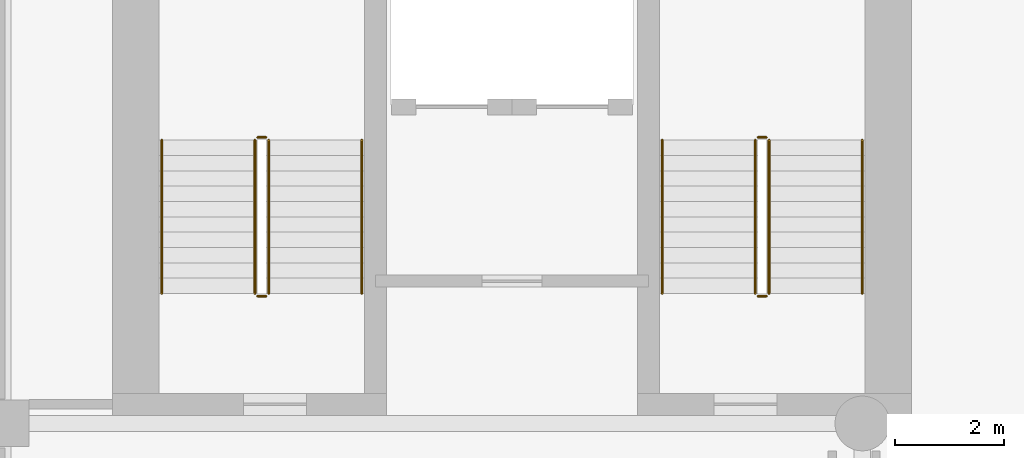
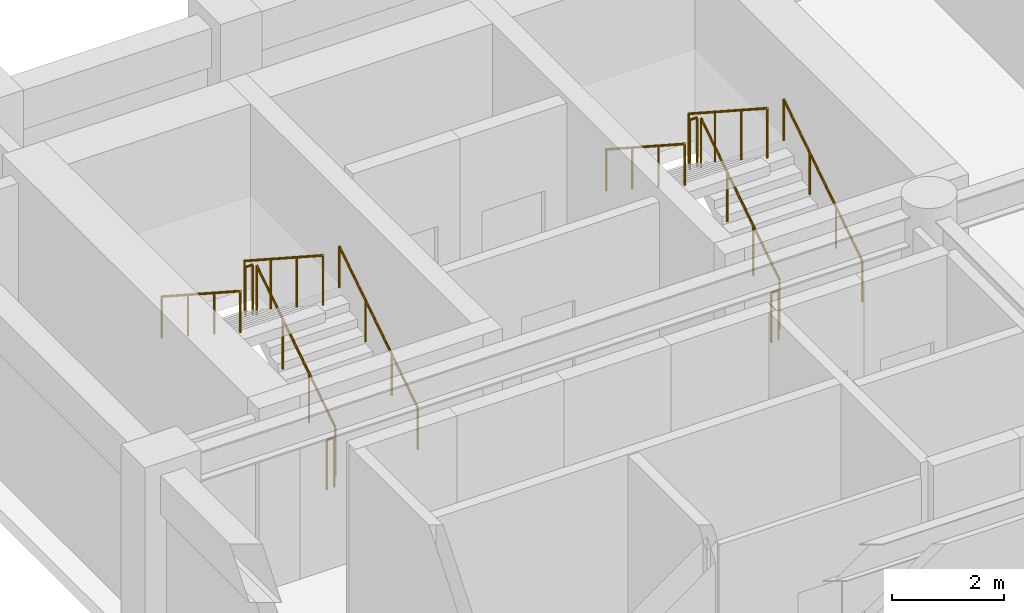
# One storey, part 7 of 8: 12 railings.
"""IFC4 building model written with IfcOpenShell, lengths in metres."""

from ifc_helpers import new_model, si_unit, direction, frame, origin, origin_2d, place, context, subcontext, project, spatial, circle, extrude, material, type_object, element, save


model = new_model("IFC4")

# Units and contexts
model_context = context("Model", 3, precision=1e-05, world=origin(), true_north=direction((0.0, 1.0)))
body_context = subcontext(model_context, "Body", "Model", "MODEL_VIEW")
ifc_project = project(units=[si_unit("LENGTHUNIT", "METRE"), si_unit("AREAUNIT", "SQUARE_METRE"), si_unit("VOLUMEUNIT", "CUBIC_METRE"), si_unit("PLANEANGLEUNIT", "RADIAN"), si_unit("MASSUNIT", "GRAM", prefix="KILO")], contexts=[model_context])

# Site, building, storey
site_placement = place(None, origin())
site = spatial("IfcSite", under=ifc_project, at=site_placement, CompositionType="ELEMENT")
building_placement = place(site_placement, origin())
building = spatial("IfcBuilding", under=site, at=building_placement, Name="Sulina Concourse Tower", CompositionType="ELEMENT")
storey_placement = place(building_placement, frame((0.0, 0.0, 140.60009765625)))
storey = spatial("IfcBuildingStorey", under=building, at=storey_placement, Name="L34", CompositionType="ELEMENT", Elevation=140.60009765625)

# Railings
ifc_material_1 = material(Name="Galvanised steel railing", Category="steel")
railing_type_1 = type_object("IfcRailingType", Name="Core Stair Steel Guardrail 1150mm", PredefinedType="GUARDRAIL", material=ifc_material_1)
railing_1_placement = place(storey_placement, frame((5.554931640625, 36.375, 0.181640625)))
element("IfcRailing", 1, at=railing_1_placement, inside=storey, type_object=railing_type_1, Name="L34 ST-1 stair guard 1", PredefinedType="GUARDRAIL", context=body_context, shape_type="SweptSolid", body=[
    extrude(circle(Radius=0.02392578125, at=origin_2d()), frame((0.0, 0.0, 1.076171875), z_axis=(0.0, 0.838672427954, 0.544636170843), x_axis=(-1.0, 0.0, 0.0)), (0.0, 0.0, 1.0), 3.338623046875),
    extrude(circle(Radius=0.02099609375, at=origin_2d()), origin(), (0.0, 0.0, 1.0), 1.052001953125),
    extrude(circle(Radius=0.02099609375, at=origin_2d()), frame((0.0, 0.933349609375, 0.606201171875)), (0.0, 0.0, 1.0), 1.052001953125),
    extrude(circle(Radius=0.02099609375, at=origin_2d()), frame((0.0, 1.86669921875, 1.212158203125)), (0.0, 0.0, 1.0), 1.052001953125),
    extrude(circle(Radius=0.02099609375, at=origin_2d()), frame((0.0, 2.800048828125, 1.818359375)), (0.0, 0.0, 1.0), 1.052001953125),
])
railing_2_placement = place(storey_placement, frame((5.5048828125, 39.22509765625, 2.0)))
element("IfcRailing", 2, at=railing_2_placement, inside=storey, type_object=railing_type_1, Name="L34 ST-1 stair guard 2", PredefinedType="GUARDRAIL", context=body_context, shape_type="SweptSolid", body=[
    extrude(circle(Radius=0.02392578125, at=origin_2d()), frame((0.0, 0.0, 1.076171875), z_axis=(-1.0, 0.0, 0.0), x_axis=(0.0, -1.0, 0.0)), (0.0, 0.0, 1.0), 0.14990234375),
    extrude(circle(Radius=0.02099609375, at=origin_2d()), origin(), (0.0, 0.0, 1.0), 1.052001953125),
    extrude(circle(Radius=0.02099609375, at=origin_2d()), frame((-0.14990234375, 0.0, 0.0)), (0.0, 0.0, 1.0), 1.052001953125),
])
railing_3_placement = place(storey_placement, frame((5.304931640625, 39.175048828125, 2.181640625)))
element("IfcRailing", 3, at=railing_3_placement, inside=storey, type_object=railing_type_1, Name="L34 ST-1 stair guard 3", PredefinedType="GUARDRAIL", context=body_context, shape_type="SweptSolid", body=[
    extrude(circle(Radius=0.02392578125, at=origin_2d()), frame((0.0, 0.0, 1.076171875), z_axis=(0.0, -0.838672427954, 0.544636170843), x_axis=(1.0, 0.0, 0.0)), (0.0, 0.0, 1.0), 3.338623046875),
    extrude(circle(Radius=0.02099609375, at=origin_2d()), origin(), (0.0, 0.0, 1.0), 1.052001953125),
    extrude(circle(Radius=0.02099609375, at=origin_2d()), frame((0.0, -0.933349609375, 0.606201171875)), (0.0, 0.0, 1.0), 1.052001953125),
    extrude(circle(Radius=0.02099609375, at=origin_2d()), frame((0.0, -1.86669921875, 1.212158203125)), (0.0, 0.0, 1.0), 1.052001953125),
    extrude(circle(Radius=0.02099609375, at=origin_2d()), frame((0.0, -2.800048828125, 1.818359375)), (0.0, 0.0, 1.0), 1.052001953125),
])
railing_4_placement = place(storey_placement, frame((5.5048828125, 36.324951171875, 0.0)))
element("IfcRailing", 4, at=railing_4_placement, inside=storey, type_object=railing_type_1, Name="L34 ST-1 stair guard 4", PredefinedType="GUARDRAIL", context=body_context, shape_type="SweptSolid", body=[
    extrude(circle(Radius=0.02392578125, at=origin_2d()), frame((0.0, 0.0, 1.076171875), z_axis=(-1.0, 0.0, 0.0), x_axis=(0.0, -1.0, 0.0)), (0.0, 0.0, 1.0), 0.14990234375),
    extrude(circle(Radius=0.02099609375, at=origin_2d()), origin(), (0.0, 0.0, 1.0), 1.052001953125),
    extrude(circle(Radius=0.02099609375, at=origin_2d()), frame((-0.14990234375, 0.0, 0.0)), (0.0, 0.0, 1.0), 1.052001953125),
])
railing_5_placement = place(storey_placement, frame((14.695068359375, 36.375, 0.181640625)))
element("IfcRailing", 5, at=railing_5_placement, inside=storey, type_object=railing_type_1, Name="L34 ST-2 stair guard 1", PredefinedType="GUARDRAIL", context=body_context, shape_type="SweptSolid", body=[
    extrude(circle(Radius=0.02392578125, at=origin_2d()), frame((0.0, 0.0, 1.076171875), z_axis=(0.0, 0.838672427954, 0.544636170843), x_axis=(-1.0, 0.0, 0.0)), (0.0, 0.0, 1.0), 3.338623046875),
    extrude(circle(Radius=0.02099609375, at=origin_2d()), origin(), (0.0, 0.0, 1.0), 1.052001953125),
    extrude(circle(Radius=0.02099609375, at=origin_2d()), frame((0.0, 0.933349609375, 0.606201171875)), (0.0, 0.0, 1.0), 1.052001953125),
    extrude(circle(Radius=0.02099609375, at=origin_2d()), frame((0.0, 1.86669921875, 1.212158203125)), (0.0, 0.0, 1.0), 1.052001953125),
    extrude(circle(Radius=0.02099609375, at=origin_2d()), frame((0.0, 2.800048828125, 1.818359375)), (0.0, 0.0, 1.0), 1.052001953125),
])
railing_6_placement = place(storey_placement, frame((14.64501953125, 39.22509765625, 2.0)))
element("IfcRailing", 6, at=railing_6_placement, inside=storey, type_object=railing_type_1, Name="L34 ST-2 stair guard 2", PredefinedType="GUARDRAIL", context=body_context, shape_type="SweptSolid", body=[
    extrude(circle(Radius=0.02392578125, at=origin_2d()), frame((0.0, 0.0, 1.076171875), z_axis=(-1.0, 0.0, 0.0), x_axis=(0.0, -1.0, 0.0)), (0.0, 0.0, 1.0), 0.14990234375),
    extrude(circle(Radius=0.02099609375, at=origin_2d()), origin(), (0.0, 0.0, 1.0), 1.052001953125),
    extrude(circle(Radius=0.02099609375, at=origin_2d()), frame((-0.14990234375, 0.0, 0.0)), (0.0, 0.0, 1.0), 1.052001953125),
])
railing_7_placement = place(storey_placement, frame((14.445068359375, 39.175048828125, 2.181640625)))
element("IfcRailing", 7, at=railing_7_placement, inside=storey, type_object=railing_type_1, Name="L34 ST-2 stair guard 3", PredefinedType="GUARDRAIL", context=body_context, shape_type="SweptSolid", body=[
    extrude(circle(Radius=0.02392578125, at=origin_2d()), frame((0.0, 0.0, 1.076171875), z_axis=(0.0, -0.838672427954, 0.544636170843), x_axis=(1.0, 0.0, 0.0)), (0.0, 0.0, 1.0), 3.338623046875),
    extrude(circle(Radius=0.02099609375, at=origin_2d()), origin(), (0.0, 0.0, 1.0), 1.052001953125),
    extrude(circle(Radius=0.02099609375, at=origin_2d()), frame((0.0, -0.933349609375, 0.606201171875)), (0.0, 0.0, 1.0), 1.052001953125),
    extrude(circle(Radius=0.02099609375, at=origin_2d()), frame((0.0, -1.86669921875, 1.212158203125)), (0.0, 0.0, 1.0), 1.052001953125),
    extrude(circle(Radius=0.02099609375, at=origin_2d()), frame((0.0, -2.800048828125, 1.818359375)), (0.0, 0.0, 1.0), 1.052001953125),
])
railing_8_placement = place(storey_placement, frame((14.64501953125, 36.324951171875, 0.0)))
element("IfcRailing", 8, at=railing_8_placement, inside=storey, type_object=railing_type_1, Name="L34 ST-2 stair guard 4", PredefinedType="GUARDRAIL", context=body_context, shape_type="SweptSolid", body=[
    extrude(circle(Radius=0.02392578125, at=origin_2d()), frame((0.0, 0.0, 1.076171875), z_axis=(-1.0, 0.0, 0.0), x_axis=(0.0, -1.0, 0.0)), (0.0, 0.0, 1.0), 0.14990234375),
    extrude(circle(Radius=0.02099609375, at=origin_2d()), origin(), (0.0, 0.0, 1.0), 1.052001953125),
    extrude(circle(Radius=0.02099609375, at=origin_2d()), frame((-0.14990234375, 0.0, 0.0)), (0.0, 0.0, 1.0), 1.052001953125),
])
ifc_material_2 = material(Name="Galvanised steel railing", Category="steel")
railing_type_2 = type_object("IfcRailingType", Name="Stair Wall Steel Handrail 920mm", PredefinedType="HANDRAIL", material=ifc_material_2)
railing_9_placement = place(storey_placement, frame((7.2548828125, 36.375, 0.181640625)))
element("IfcRailing", 9, at=railing_9_placement, inside=storey, type_object=railing_type_2, Name="L34 ST-1 stair handrail 1", PredefinedType="HANDRAIL", context=body_context, shape_type="SweptSolid", body=[
    extrude(circle(Radius=0.02392578125, at=origin_2d()), frame((0.0, 0.0, 0.89599609375), z_axis=(0.0, 0.838672427954, 0.544636170843), x_axis=(-1.0, 0.0, 0.0)), (0.0, 0.0, 1.0), 3.338623046875),
    extrude(circle(Radius=0.02099609375, at=origin_2d()), origin(), (0.0, 0.0, 1.0), 0.871826171875),
    extrude(circle(Radius=0.02099609375, at=origin_2d()), frame((0.0, 0.933349609375, 0.606201171875)), (0.0, 0.0, 1.0), 0.871826171875),
    extrude(circle(Radius=0.02099609375, at=origin_2d()), frame((0.0, 1.86669921875, 1.212158203125)), (0.0, 0.0, 1.0), 0.871826171875),
    extrude(circle(Radius=0.02099609375, at=origin_2d()), frame((0.0, 2.800048828125, 1.818359375)), (0.0, 0.0, 1.0), 0.871826171875),
])
railing_10_placement = place(storey_placement, frame((3.60498046875, 39.175048828125, 2.181640625)))
element("IfcRailing", 10, at=railing_10_placement, inside=storey, type_object=railing_type_2, Name="L34 ST-1 stair handrail 2", PredefinedType="HANDRAIL", context=body_context, shape_type="SweptSolid", body=[
    extrude(circle(Radius=0.02392578125, at=origin_2d()), frame((0.0, 0.0, 0.89599609375), z_axis=(0.0, -0.838672427954, 0.544636170843), x_axis=(1.0, 0.0, 0.0)), (0.0, 0.0, 1.0), 3.338623046875),
    extrude(circle(Radius=0.02099609375, at=origin_2d()), origin(), (0.0, 0.0, 1.0), 0.871826171875),
    extrude(circle(Radius=0.02099609375, at=origin_2d()), frame((0.0, -0.933349609375, 0.606201171875)), (0.0, 0.0, 1.0), 0.871826171875),
    extrude(circle(Radius=0.02099609375, at=origin_2d()), frame((0.0, -1.86669921875, 1.212158203125)), (0.0, 0.0, 1.0), 0.871826171875),
    extrude(circle(Radius=0.02099609375, at=origin_2d()), frame((0.0, -2.800048828125, 1.818359375)), (0.0, 0.0, 1.0), 0.871826171875),
])
railing_11_placement = place(storey_placement, frame((16.39501953125, 36.375, 0.181640625)))
element("IfcRailing", 11, at=railing_11_placement, inside=storey, type_object=railing_type_2, Name="L34 ST-2 stair handrail 1", PredefinedType="HANDRAIL", context=body_context, shape_type="SweptSolid", body=[
    extrude(circle(Radius=0.02392578125, at=origin_2d()), frame((0.0, 0.0, 0.89599609375), z_axis=(0.0, 0.838672427954, 0.544636170843), x_axis=(-1.0, 0.0, 0.0)), (0.0, 0.0, 1.0), 3.338623046875),
    extrude(circle(Radius=0.02099609375, at=origin_2d()), origin(), (0.0, 0.0, 1.0), 0.871826171875),
    extrude(circle(Radius=0.02099609375, at=origin_2d()), frame((0.0, 0.933349609375, 0.606201171875)), (0.0, 0.0, 1.0), 0.871826171875),
    extrude(circle(Radius=0.02099609375, at=origin_2d()), frame((0.0, 1.86669921875, 1.212158203125)), (0.0, 0.0, 1.0), 0.871826171875),
    extrude(circle(Radius=0.02099609375, at=origin_2d()), frame((0.0, 2.800048828125, 1.818359375)), (0.0, 0.0, 1.0), 0.871826171875),
])
railing_12_placement = place(storey_placement, frame((12.7451171875, 39.175048828125, 2.181640625)))
element("IfcRailing", 12, at=railing_12_placement, inside=storey, type_object=railing_type_2, Name="L34 ST-2 stair handrail 2", PredefinedType="HANDRAIL", context=body_context, shape_type="SweptSolid", body=[
    extrude(circle(Radius=0.02392578125, at=origin_2d()), frame((0.0, 0.0, 0.89599609375), z_axis=(0.0, -0.838672427954, 0.544636170843), x_axis=(1.0, 0.0, 0.0)), (0.0, 0.0, 1.0), 3.338623046875),
    extrude(circle(Radius=0.02099609375, at=origin_2d()), origin(), (0.0, 0.0, 1.0), 0.871826171875),
    extrude(circle(Radius=0.02099609375, at=origin_2d()), frame((0.0, -0.933349609375, 0.606201171875)), (0.0, 0.0, 1.0), 0.871826171875),
    extrude(circle(Radius=0.02099609375, at=origin_2d()), frame((0.0, -1.86669921875, 1.212158203125)), (0.0, 0.0, 1.0), 0.871826171875),
    extrude(circle(Radius=0.02099609375, at=origin_2d()), frame((0.0, -2.800048828125, 1.818359375)), (0.0, 0.0, 1.0), 0.871826171875),
])

save(model, "model.ifc")
